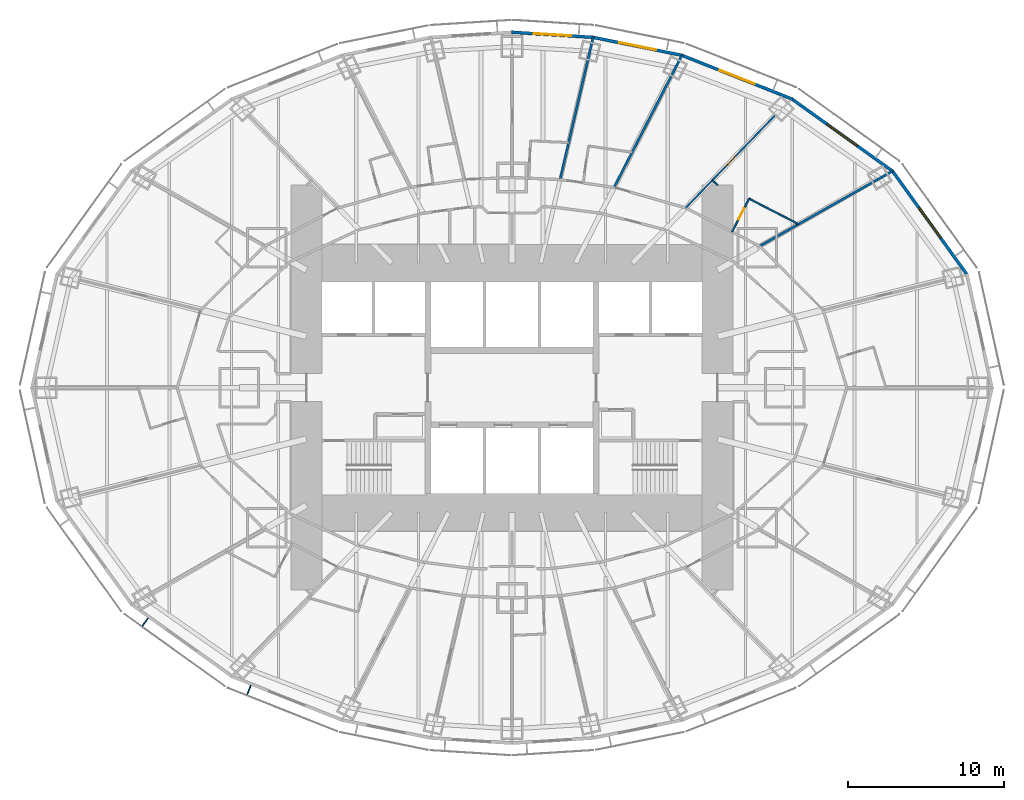
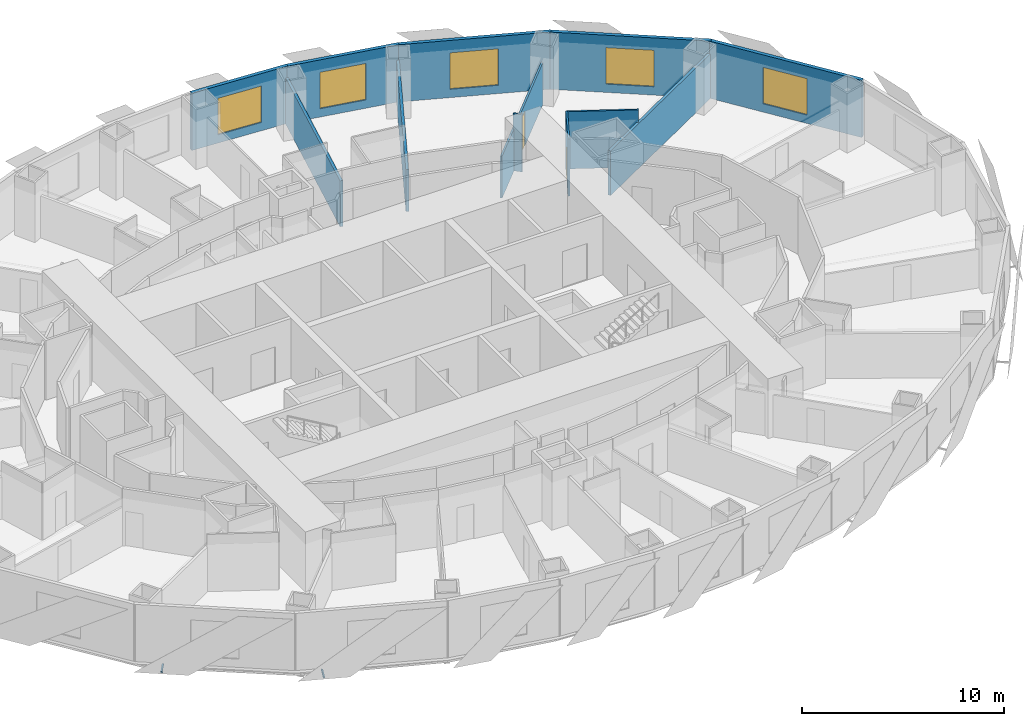
# One storey, part 10 of 15: 12 walls, 5 windows, 2 discrete accessories, 2 doors, 7 openings.
"""IFC4 building model written with IfcOpenShell, lengths in metres."""

from ifc_helpers import new_model, si_unit, direction, frame, frame_2d, origin, origin_2d, place, context, subcontext, project, spatial, rectangle, extrude, material, layer, layer_set, type_object, element, fill, save


model = new_model("IFC4")

# Units and contexts
model_context = context("Model", 3, precision=1e-05, world=origin(), true_north=direction((0.0, 1.0)))
body_context = subcontext(model_context, "Body", "Model", "MODEL_VIEW")
ifc_project = project(units=[si_unit("LENGTHUNIT", "METRE"), si_unit("AREAUNIT", "SQUARE_METRE"), si_unit("VOLUMEUNIT", "CUBIC_METRE"), si_unit("PLANEANGLEUNIT", "RADIAN"), si_unit("MASSUNIT", "GRAM", prefix="KILO")], contexts=[model_context])

# Site, building, storey
site_placement = place(None, origin())
site = spatial("IfcSite", under=ifc_project, at=site_placement, CompositionType="ELEMENT")
building_placement = place(site_placement, origin())
building = spatial("IfcBuilding", under=site, at=building_placement, Name="Lantaw Convention Tower", CompositionType="ELEMENT")
storey_placement = place(building_placement, frame((0.0, 0.0, 55.0)))
storey = spatial("IfcBuildingStorey", under=building, at=storey_placement, Name="L11", CompositionType="ELEMENT", Elevation=55.0)

# Wall, opening, door
ifc_material_1 = material(Name="Moisture resistant gypsum board on steel studs", Category="steel")
ifc_layer_1 = layer(ifc_material_1, 0.10009765625)
ifc_layer_set_1 = layer_set([ifc_layer_1], Name="Bathroom wall 100")
wall_type_1 = type_object("IfcWallType", Name="Bathroom wall 100", PredefinedType="PARTITIONING", material=ifc_layer_set_1)
wall_1_placement = place(storey_placement, frame((14.12451171875, 10.0048828125, 0.0), z_axis=(0.0, 0.0, 1.0), x_axis=(0.459218106657, 0.888323550582, 0.0)))
wall_1 = element("IfcWall", 1, at=wall_1_placement, inside=storey, type_object=wall_type_1, Name="Bathroom wall 100", PredefinedType="PARTITIONING", context=body_context, shape_type="SweptSolid", body=[
    extrude(rectangle(XDim=2.39990234375, YDim=0.10009765625, at=frame_2d((1.199951171875, 0.0))), origin(), (0.0, 0.0, 1.0), 3.449951171875),
])
opening_1_placement = place(wall_1_placement, frame((0.89990234375, 0.0, 0.0)))
opening_1 = element("IfcOpeningElement", 2, at=opening_1_placement, cuts=wall_1, Name="Opening L11.30", PredefinedType="OPENING", context=body_context, shape_type="SweptSolid", body=[
    extrude(rectangle(XDim=0.800048828125, YDim=2.10009765625, at=frame_2d((0.39990234375, 1.050048828125))), frame((0.0, 0.06005859375, 0.0), z_axis=(0.0, -1.0, 0.0), x_axis=(1.0, 0.0, 0.0)), (0.0, 0.0, 1.0), 0.1201171875),
])
ifc_material_2 = material(Name="Timber", Category="wood")
door_type_1 = type_object("IfcDoorType", Name="Bathroom door 800", OperationType="SINGLE_SWING_LEFT", PredefinedType="DOOR", material=ifc_material_2)
door_1_placement = place(opening_1_placement, origin())
door_1 = element("IfcDoor", 3, at=door_1_placement, inside=storey, type_object=door_type_1, Name="Bathroom door", OperationType="SINGLE_SWING_LEFT", OverallHeight=2.10009765625, OverallWidth=0.800048828125, PredefinedType="DOOR", context=body_context, shape_type="SweptSolid", body=[
    extrude(rectangle(XDim=0.800048828125, YDim=2.10009765625, at=frame_2d((0.39990234375, 1.050048828125))), frame((0.0, 0.02490234375, 0.0), z_axis=(0.0, -1.0, 0.0), x_axis=(1.0, 0.0, 0.0)), (0.0, 0.0, 1.0), 0.050048828125),
])
fill(opening_1, door_1)

# Wall
wall_2_placement = place(storey_placement, frame((15.2265625, 12.13671875, 0.0), z_axis=(0.0, 0.0, 1.0), x_axis=(0.888342312029, -0.459181812204, 0.0)))
element("IfcWall", 4, at=wall_2_placement, inside=storey, type_object=wall_type_1, Name="Bathroom wall 100", PredefinedType="PARTITIONING", context=body_context, shape_type="SweptSolid", body=[
    extrude(rectangle(XDim=3.5537109375, YDim=0.10009765625, at=frame_2d((1.77685546875, 0.0))), origin(), (0.0, 0.0, 1.0), 3.449951171875),
])

# Wall, opening, window
ifc_material_3 = material(Name="Insulated aluminium panel on steel frame", Category="steel")
ifc_layer_2 = layer(ifc_material_3, 0.199951171875)
ifc_layer_set_2 = layer_set([ifc_layer_2], Name="External wall 200")
wall_type_2 = type_object("IfcWallType", Name="External wall 200", PredefinedType="SOLIDWALL", material=ifc_layer_set_2)
wall_3_placement = place(storey_placement, frame((29.260498046875, 7.199951171875, 0.0), z_axis=(0.0, 0.0, 1.0), x_axis=(-0.583937613703, 0.811798536155, 0.0)))
wall_3 = element("IfcWall", 5, at=wall_3_placement, inside=storey, type_object=wall_type_2, Name="Facade panel wall", PredefinedType="SOLIDWALL", context=body_context, shape_type="SweptSolid", body=[
    extrude(rectangle(XDim=8.322998046875, YDim=0.199951171875, at=frame_2d((4.16162109375, 0.0))), origin(), (0.0, 0.0, 1.0), 3.449951171875),
])
opening_2_placement = place(wall_3_placement, frame((2.96142578125, 0.0, 0.5)))
opening_2 = element("IfcOpeningElement", 6, at=opening_2_placement, cuts=wall_3, Name="Opening W1", PredefinedType="OPENING", context=body_context, shape_type="SweptSolid", body=[
    extrude(rectangle(XDim=2.39990234375, YDim=2.199951171875, at=frame_2d((1.199951171875, 1.10009765625))), frame((0.0, 0.10986328125, 0.0), z_axis=(0.0, -1.0, 0.0), x_axis=(1.0, 0.0, 0.0)), (0.0, 0.0, 1.0), 0.219970703125),
])
ifc_material_4 = material(Name="Aluminium frame, clear insulating glass", Category="aluminium")
window_type = type_object("IfcWindowType", Name="Guest room window 2400x2200", PartitioningType="SINGLE_PANEL", PredefinedType="WINDOW", material=ifc_material_4)
window_1_placement = place(opening_2_placement, origin())
window_1 = element("IfcWindow", 7, at=window_1_placement, inside=storey, type_object=window_type, Name="Guest room window", OverallHeight=2.199951171875, OverallWidth=2.39990234375, PartitioningType="SINGLE_PANEL", PredefinedType="WINDOW", context=body_context, shape_type="SweptSolid", body=[
    extrude(rectangle(XDim=2.39990234375, YDim=2.199951171875, at=frame_2d((1.199951171875, 1.10009765625))), frame((0.0, 0.030029296875, 0.0), z_axis=(0.0, -1.0, 0.0), x_axis=(1.0, 0.0, 0.0)), (0.0, 0.0, 1.0), 0.06005859375),
])
fill(opening_2, window_1)

wall_4_placement = place(storey_placement, frame((24.482421875, 13.87451171875, 0.0), z_axis=(0.0, 0.0, 1.0), x_axis=(-0.812791321576, 0.582554948112, 0.0)))
wall_4 = element("IfcWall", 8, at=wall_4_placement, inside=storey, type_object=wall_type_2, Name="Facade panel wall", PredefinedType="SOLIDWALL", context=body_context, shape_type="SweptSolid", body=[
    extrude(rectangle(XDim=8.063232421875, YDim=0.199951171875, at=frame_2d((4.03173828125, 0.0))), origin(), (0.0, 0.0, 1.0), 3.449951171875),
])
opening_3_placement = place(wall_4_placement, frame((2.83154296875, 0.0, 0.5)))
opening_3 = element("IfcOpeningElement", 9, at=opening_3_placement, cuts=wall_4, Name="Opening W1", PredefinedType="OPENING", context=body_context, shape_type="SweptSolid", body=[
    extrude(rectangle(XDim=2.39990234375, YDim=2.199951171875, at=frame_2d((1.199951171875, 1.10009765625))), frame((0.0, 0.10986328125, 0.0), z_axis=(0.0, -1.0, 0.0), x_axis=(1.0, 0.0, 0.0)), (0.0, 0.0, 1.0), 0.219970703125),
])
window_2_placement = place(opening_3_placement, origin())
window_2 = element("IfcWindow", 10, at=window_2_placement, inside=storey, type_object=window_type, Name="Guest room window", OverallHeight=2.199951171875, OverallWidth=2.39990234375, PartitioningType="SINGLE_PANEL", PredefinedType="WINDOW", context=body_context, shape_type="SweptSolid", body=[
    extrude(rectangle(XDim=2.39990234375, YDim=2.199951171875, at=frame_2d((1.199951171875, 1.10009765625))), frame((0.0, 0.030029296875, 0.0), z_axis=(0.0, -1.0, 0.0), x_axis=(1.0, 0.0, 0.0)), (0.0, 0.0, 1.0), 0.06005859375),
])
fill(opening_3, window_2)

wall_5_placement = place(storey_placement, frame((18.018310546875, 18.522705078125, 0.0), z_axis=(0.0, 0.0, 1.0), x_axis=(-0.929358351251, 0.369178892895, 0.0)))
wall_5 = element("IfcWall", 11, at=wall_5_placement, inside=storey, type_object=wall_type_2, Name="Facade panel wall", PredefinedType="SOLIDWALL", context=body_context, shape_type="SweptSolid", body=[
    extrude(rectangle(XDim=7.6923828125, YDim=0.199951171875, at=frame_2d((3.84619140625, 0.0))), origin(), (0.0, 0.0, 1.0), 3.449951171875),
])
opening_4_placement = place(wall_5_placement, frame((2.64599609375, 0.0, 0.5)))
opening_4 = element("IfcOpeningElement", 12, at=opening_4_placement, cuts=wall_5, Name="Opening W1", PredefinedType="OPENING", context=body_context, shape_type="SweptSolid", body=[
    extrude(rectangle(XDim=2.39990234375, YDim=2.199951171875, at=frame_2d((1.199951171875, 1.10009765625))), frame((0.0, 0.10986328125, 0.0), z_axis=(0.0, -1.0, 0.0), x_axis=(1.0, 0.0, 0.0)), (0.0, 0.0, 1.0), 0.219970703125),
])
window_3_placement = place(opening_4_placement, origin())
window_3 = element("IfcWindow", 13, at=window_3_placement, inside=storey, type_object=window_type, Name="Guest room window", OverallHeight=2.199951171875, OverallWidth=2.39990234375, PartitioningType="SINGLE_PANEL", PredefinedType="WINDOW", context=body_context, shape_type="SweptSolid", body=[
    extrude(rectangle(XDim=2.39990234375, YDim=2.199951171875, at=frame_2d((1.199951171875, 1.10009765625))), frame((0.0, 0.030029296875, 0.0), z_axis=(0.0, -1.0, 0.0), x_axis=(1.0, 0.0, 0.0)), (0.0, 0.0, 1.0), 0.06005859375),
])
fill(opening_4, window_3)

wall_6_placement = place(storey_placement, frame((10.956787109375, 21.336669921875, 0.0), z_axis=(0.0, 0.0, 1.0), x_axis=(-0.980251657452, 0.197754110105, 0.0)))
wall_6 = element("IfcWall", 14, at=wall_6_placement, inside=storey, type_object=wall_type_2, Name="Facade panel wall", PredefinedType="SOLIDWALL", context=body_context, shape_type="SweptSolid", body=[
    extrude(rectangle(XDim=5.90380859375, YDim=0.199951171875, at=frame_2d((2.951904296875, 0.0))), origin(), (0.0, 0.0, 1.0), 3.449951171875),
])
opening_5_placement = place(wall_6_placement, frame((1.751708984375, 0.0, 0.5)))
opening_5 = element("IfcOpeningElement", 15, at=opening_5_placement, cuts=wall_6, Name="Opening W1", PredefinedType="OPENING", context=body_context, shape_type="SweptSolid", body=[
    extrude(rectangle(XDim=2.39990234375, YDim=2.199951171875, at=frame_2d((1.199951171875, 1.10009765625))), frame((0.0, 0.10986328125, 0.0), z_axis=(0.0, -1.0, 0.0), x_axis=(1.0, 0.0, 0.0)), (0.0, 0.0, 1.0), 0.219970703125),
])
window_4_placement = place(opening_5_placement, origin())
window_4 = element("IfcWindow", 16, at=window_4_placement, inside=storey, type_object=window_type, Name="Guest room window", OverallHeight=2.199951171875, OverallWidth=2.39990234375, PartitioningType="SINGLE_PANEL", PredefinedType="WINDOW", context=body_context, shape_type="SweptSolid", body=[
    extrude(rectangle(XDim=2.39990234375, YDim=2.199951171875, at=frame_2d((1.199951171875, 1.10009765625))), frame((0.0, 0.030029296875, 0.0), z_axis=(0.0, -1.0, 0.0), x_axis=(1.0, 0.0, 0.0)), (0.0, 0.0, 1.0), 0.06005859375),
])
fill(opening_5, window_4)

wall_7_placement = place(storey_placement, frame((5.252685546875, 22.493408203125, 0.0), z_axis=(0.0, 0.0, 1.0), x_axis=(-0.998018582375, 0.062919863585, 0.0)))
wall_7 = element("IfcWall", 17, at=wall_7_placement, inside=storey, type_object=wall_type_2, Name="Facade panel wall", PredefinedType="SOLIDWALL", context=body_context, shape_type="SweptSolid", body=[
    extrude(rectangle(XDim=5.30419921875, YDim=0.199951171875, at=frame_2d((2.652099609375, 0.0))), origin(), (0.0, 0.0, 1.0), 3.449951171875),
])
opening_6_placement = place(wall_7_placement, frame((1.4521484375, 0.0, 0.5)))
opening_6 = element("IfcOpeningElement", 18, at=opening_6_placement, cuts=wall_7, Name="Opening W1", PredefinedType="OPENING", context=body_context, shape_type="SweptSolid", body=[
    extrude(rectangle(XDim=2.39990234375, YDim=2.199951171875, at=frame_2d((1.199951171875, 1.10009765625))), frame((0.0, 0.10986328125, 0.0), z_axis=(0.0, -1.0, 0.0), x_axis=(1.0, 0.0, 0.0)), (0.0, 0.0, 1.0), 0.219970703125),
])
window_5_placement = place(opening_6_placement, origin())
window_5 = element("IfcWindow", 19, at=window_5_placement, inside=storey, type_object=window_type, Name="Guest room window", OverallHeight=2.199951171875, OverallWidth=2.39990234375, PartitioningType="SINGLE_PANEL", PredefinedType="WINDOW", context=body_context, shape_type="SweptSolid", body=[
    extrude(rectangle(XDim=2.39990234375, YDim=2.199951171875, at=frame_2d((1.199951171875, 1.10009765625))), frame((0.0, 0.030029296875, 0.0), z_axis=(0.0, -1.0, 0.0), x_axis=(1.0, 0.0, 0.0)), (0.0, 0.0, 1.0), 0.06005859375),
])
fill(opening_6, window_5)

# Walls
ifc_material_5 = material(Name="Gypsum board on steel studs, acoustic", Category="steel")
ifc_layer_3 = layer(ifc_material_5, 0.14990234375)
ifc_layer_set_3 = layer_set([ifc_layer_3], Name="Guest room party wall 150")
wall_type_3 = type_object("IfcWallType", Name="Guest room party wall 150", PredefinedType="PARTITIONING", material=ifc_layer_set_3)
wall_8_placement = place(storey_placement, frame((24.434814453125, 13.90869140625, 0.0), z_axis=(0.0, 0.0, 1.0), x_axis=(-0.870612006791, -0.491970256856, 0.0)))
element("IfcWall", 20, at=wall_8_placement, inside=storey, type_object=wall_type_3, Name="Guest room party wall 150", PredefinedType="PARTITIONING", context=body_context, shape_type="SweptSolid", body=[
    extrude(rectangle(XDim=9.802001953125, YDim=0.14990234375, at=frame_2d((4.90087890625, 0.0))), origin(), (0.0, 0.0, 1.0), 2.693115234375),
])
wall_9_placement = place(storey_placement, frame((10.911865234375, 21.345703125, 0.0), z_axis=(0.0, 0.0, 1.0), x_axis=(-0.456950233066, -0.889492262193, 0.0)))
element("IfcWall", 21, at=wall_9_placement, inside=storey, type_object=wall_type_3, Name="Guest room party wall 150", PredefinedType="PARTITIONING", context=body_context, shape_type="SweptSolid", body=[
    extrude(rectangle(XDim=9.542236328125, YDim=0.14990234375, at=frame_2d((4.77099609375, 0.0))), origin(), (0.0, 0.0, 1.0), 2.528076171875),
])
wall_10_placement = place(storey_placement, frame((5.2109375, 22.495849609375, 0.0), z_axis=(0.0, 0.0, 1.0), x_axis=(-0.226708737679, -0.973962601058, 0.0)))
element("IfcWall", 22, at=wall_10_placement, inside=storey, type_object=wall_type_3, Name="Guest room party wall 150", PredefinedType="PARTITIONING", context=body_context, shape_type="SweptSolid", body=[
    extrude(rectangle(XDim=9.379638671875, YDim=0.14990234375, at=frame_2d((4.68994140625, 0.0))), origin(), (0.0, 0.0, 1.0), 2.766845703125),
])
ifc_layer_4 = layer(ifc_material_5, 0.10009765625)
ifc_layer_set_4 = layer_set([ifc_layer_4], Name="Office partition 100")
wall_type_4 = type_object("IfcWallType", Name="Office partition 100", PredefinedType="PARTITIONING", material=ifc_layer_set_4)
wall_11_placement = place(storey_placement, frame((13.199951171875, 13.0, 0.0), z_axis=(0.0, 0.0, 1.0), x_axis=(-0.719347134512, 0.69465077562, 0.0)))
element("IfcWall", 23, at=wall_11_placement, inside=storey, type_object=wall_type_4, Name="Office partition 100", PredefinedType="PARTITIONING", context=body_context, shape_type="SweptSolid", body=[
    extrude(rectangle(XDim=0.464599609375, YDim=0.10009765625, at=frame_2d((0.232421875, 0.0))), origin(), (0.0, 0.0, 1.0), 3.449951171875),
])

# Wall, opening, door
ifc_material_6 = material(Name="Gypsum board on steel studs", Category="steel")
ifc_layer_5 = layer(ifc_material_6, 0.10009765625)
ifc_layer_set_5 = layer_set([ifc_layer_5], Name="Suite partition 100")
wall_type_5 = type_object("IfcWallType", Name="Suite partition 100", PredefinedType="PARTITIONING", material=ifc_layer_set_5)
wall_12_placement = place(storey_placement, frame((16.943603515625, 17.54541015625, 0.0), z_axis=(0.0, 0.0, 1.0), x_axis=(-0.694680670522, -0.71931826475, 0.0)))
wall_12 = element("IfcWall", 24, at=wall_12_placement, inside=storey, type_object=wall_type_5, Name="Suite partition 100", PredefinedType="PARTITIONING", context=body_context, shape_type="SweptSolid", body=[
    extrude(rectangle(XDim=8.343505859375, YDim=0.10009765625, at=frame_2d((4.171875, 0.0))), origin(), (0.0, 0.0, 1.0), 2.528076171875),
])
opening_7_placement = place(wall_12_placement, frame((3.7216796875, 0.0, 0.0)))
opening_7 = element("IfcOpeningElement", 25, at=opening_7_placement, cuts=wall_12, Name="Opening L11.31", PredefinedType="OPENING", context=body_context, shape_type="SweptSolid", body=[
    extrude(rectangle(XDim=0.89990234375, YDim=2.10009765625, at=frame_2d((0.449951171875, 1.050048828125))), frame((0.0, 0.06005859375, 0.0), z_axis=(0.0, -1.0, 0.0), x_axis=(1.0, 0.0, 0.0)), (0.0, 0.0, 1.0), 0.1201171875),
])
door_type_2 = type_object("IfcDoorType", Name="Suite door 900", OperationType="SINGLE_SWING_LEFT", PredefinedType="DOOR", material=ifc_material_2)
door_2_placement = place(opening_7_placement, origin())
door_2 = element("IfcDoor", 26, at=door_2_placement, inside=storey, type_object=door_type_2, Name="Bedroom door", OperationType="SINGLE_SWING_LEFT", OverallHeight=2.10009765625, OverallWidth=0.89990234375, PredefinedType="DOOR", context=body_context, shape_type="SweptSolid", body=[
    extrude(rectangle(XDim=0.89990234375, YDim=2.10009765625, at=frame_2d((0.449951171875, 1.050048828125))), frame((0.0, 0.02490234375, 0.0), z_axis=(0.0, -1.0, 0.0), x_axis=(1.0, 0.0, 0.0)), (0.0, 0.0, 1.0), 0.050048828125),
])
fill(opening_7, door_2)

# Discrete accessories
for number, where, z_axis, x_axis, name in (
    (27, (-23.564453125, -15.06640625, -0.114990234375), (0.0, 0.0, 1.0), (0.812803733199, -0.5825376308, 0.0), "Screen bracket"),
    (28, (-16.898193359375, -19.4345703125, -0.114990234375), (0.0, 0.0, 1.0), (0.929361152748, -0.369171840425, 0.0), "Screen bracket"),
):
    element("IfcDiscreteAccessory", number, at=place(storey_placement, frame(where, z_axis=z_axis, x_axis=x_axis)), inside=storey, Name=name, PredefinedType="BRACKET", context=body_context, shape_type="SweptSolid", body=[
        extrude(rectangle(XDim=0.080078125, YDim=0.68798828125, at=origin_2d()), origin(), (0.0, 0.0, 1.0), 0.080078125),
    ])

save(model, "model.ifc")
